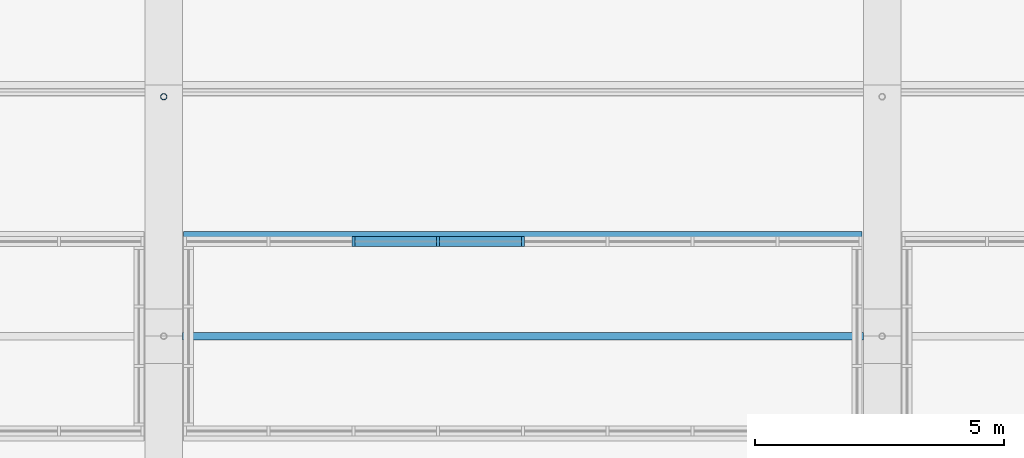
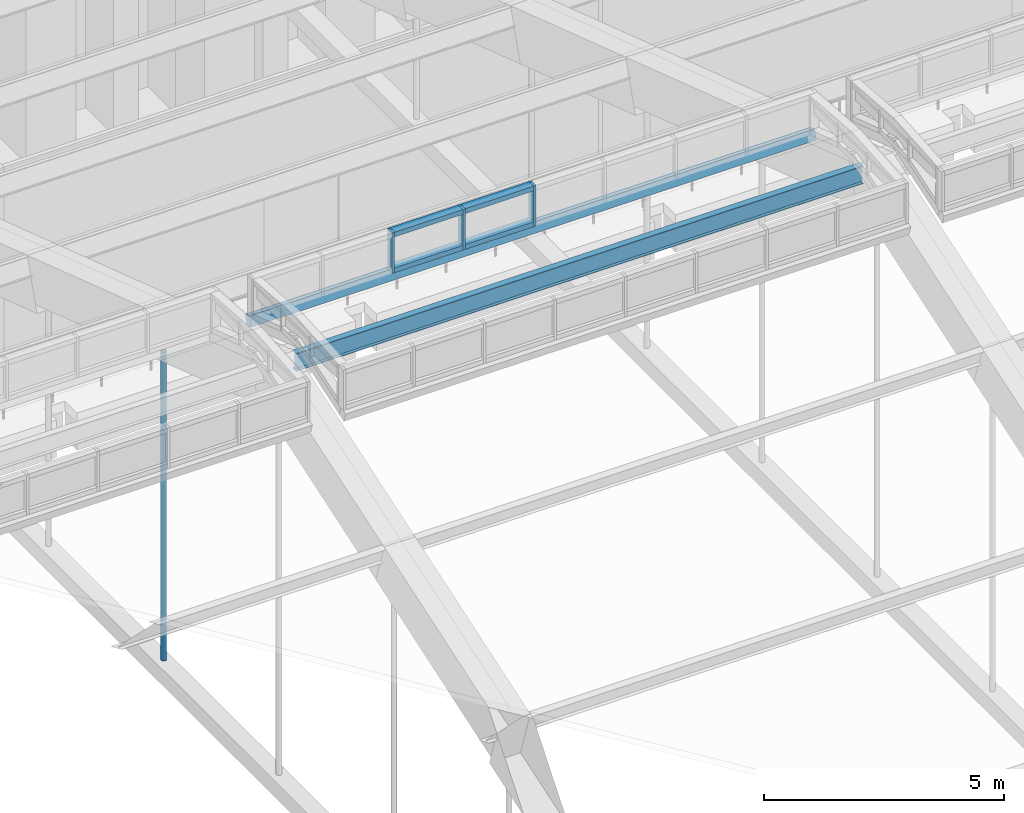
# One storey, part 55 of 149: 10 members, 1 element without a shape of its own.
"""IFC4 building model written with IfcOpenShell, lengths in metres."""

from ifc_helpers import new_model, si_unit, direction, frame, origin, origin_2d, place, context, subcontext, project, spatial, rectangle, hollow_circle, i_section, extrude, material, material_profile, profile_set, type_object, element, aggregate, save


model = new_model("IFC4")

# Units and contexts
model_context = context("Model", 3, precision=1e-05, world=origin(), true_north=direction((0.0, 1.0)))
body_context = subcontext(model_context, "Body", "Model", "MODEL_VIEW")
ifc_project = project(units=[si_unit("LENGTHUNIT", "METRE"), si_unit("AREAUNIT", "SQUARE_METRE"), si_unit("VOLUMEUNIT", "CUBIC_METRE"), si_unit("PLANEANGLEUNIT", "RADIAN"), si_unit("MASSUNIT", "GRAM", prefix="KILO")], contexts=[model_context])

# Site, building, storey
site_placement = place(None, origin())
site = spatial("IfcSite", under=ifc_project, at=site_placement, CompositionType="ELEMENT")
building_placement = place(site_placement, origin())
building = spatial("IfcBuilding", under=site, at=building_placement, Name="Alderwick Market Hall", CompositionType="ELEMENT")
storey_placement = place(building_placement, frame((0.0, 0.0, 9.60009765625)))
storey = spatial("IfcBuildingStorey", under=building, at=storey_placement, Name="L01", CompositionType="ELEMENT", Elevation=9.60009765625)

# Curtain wall, members
ifc_material_1 = material(Name="Aluminium", Category="aluminium")
curtain_wall_type = type_object("IfcCurtainWallType", Name="R Curtain Wall Frame", PredefinedType="NOTDEFINED", material=ifc_material_1)
curtain_wall_placement = place(storey_placement, origin())
curtain_wall = element("IfcCurtainWall", 1, at=curtain_wall_placement, inside=storey, type_object=curtain_wall_type, Name="Curtain wall LCW N4", PredefinedType="NOTDEFINED")
ifc_material_profile_1 = material_profile(ifc_material_1, rectangle(XDim=0.199951171875, YDim=0.06005859375, at=origin_2d()), Name="AL 60x200")
ifc_profile_set_1 = profile_set([ifc_material_profile_1], Name="Aluminium")
member_type_1 = type_object("IfcMemberType", Name="R CW Mullion 60x200", PredefinedType="MULLION", material=ifc_profile_set_1)
member_1_placement = place(storey_placement, frame((97.39990234375, 81.10009765625, 16.670166015625), z_axis=(0.0, 0.0, 1.0), x_axis=(0.0, 1.0, 0.0)))
member_1 = element("IfcMember", 2, at=member_1_placement, type_object=member_type_1, Name="LCW N4 mullion 3", PredefinedType="MULLION", context=body_context, shape_type="SweptSolid", body=[
    extrude(rectangle(XDim=0.199951171875, YDim=0.06005859375, at=origin_2d()), origin(), (0.0, 0.0, 1.0), 1.02978515625),
])
member_2_placement = place(storey_placement, frame((99.10009765625, 81.10009765625, 16.670166015625), z_axis=(0.0, 0.0, 1.0), x_axis=(0.0, 1.0, 0.0)))
member_2 = element("IfcMember", 3, at=member_2_placement, type_object=member_type_1, Name="LCW N4 mullion 4", PredefinedType="MULLION", context=body_context, shape_type="SweptSolid", body=[
    extrude(rectangle(XDim=0.199951171875, YDim=0.06005859375, at=origin_2d()), origin(), (0.0, 0.0, 1.0), 1.02978515625),
])
member_3_placement = place(storey_placement, frame((100.800048828125, 81.10009765625, 16.670166015625), z_axis=(0.0, 0.0, 1.0), x_axis=(0.0, 1.0, 0.0)))
member_3 = element("IfcMember", 4, at=member_3_placement, type_object=member_type_1, Name="LCW N4 mullion 5", PredefinedType="MULLION", context=body_context, shape_type="SweptSolid", body=[
    extrude(rectangle(XDim=0.199951171875, YDim=0.06005859375, at=origin_2d()), origin(), (0.0, 0.0, 1.0), 1.02978515625),
])
ifc_material_profile_2 = material_profile(ifc_material_1, rectangle(XDim=0.199951171875, YDim=0.1201171875, at=origin_2d()), Name="AL 120x200")
ifc_profile_set_2 = profile_set([ifc_material_profile_2], Name="Aluminium")
member_type_2 = type_object("IfcMemberType", Name="R CW Transom 120x200", PredefinedType="USERDEFINED", material=ifc_profile_set_2)
member_4_placement = place(storey_placement, frame((97.429931640625, 81.10009765625, 16.730224609375), z_axis=(1.0, 0.0, 0.0), x_axis=(0.0, 1.0, 0.0)))
member_4 = element("IfcMember", 5, at=member_4_placement, type_object=member_type_2, Name="LCW N4 sill transom 3", ObjectType="TRANSOM", PredefinedType="USERDEFINED", context=body_context, shape_type="SweptSolid", body=[
    extrude(rectangle(XDim=0.199951171875, YDim=0.1201171875, at=origin_2d()), origin(), (0.0, 0.0, 1.0), 1.64013671875),
])
member_5_placement = place(storey_placement, frame((97.429931640625, 81.10009765625, 17.639892578125), z_axis=(1.0, 0.0, 0.0), x_axis=(0.0, 1.0, 0.0)))
member_5 = element("IfcMember", 6, at=member_5_placement, type_object=member_type_2, Name="LCW N4 head transom 3", ObjectType="TRANSOM", PredefinedType="USERDEFINED", context=body_context, shape_type="SweptSolid", body=[
    extrude(rectangle(XDim=0.199951171875, YDim=0.1201171875, at=origin_2d()), origin(), (0.0, 0.0, 1.0), 1.64013671875),
])
member_6_placement = place(storey_placement, frame((99.1298828125, 81.10009765625, 16.730224609375), z_axis=(1.0, 0.0, 0.0), x_axis=(0.0, 1.0, 0.0)))
member_6 = element("IfcMember", 7, at=member_6_placement, type_object=member_type_2, Name="LCW N4 sill transom 4", ObjectType="TRANSOM", PredefinedType="USERDEFINED", context=body_context, shape_type="SweptSolid", body=[
    extrude(rectangle(XDim=0.199951171875, YDim=0.1201171875, at=origin_2d()), origin(), (0.0, 0.0, 1.0), 1.64013671875),
])
member_7_placement = place(storey_placement, frame((99.1298828125, 81.10009765625, 17.639892578125), z_axis=(1.0, 0.0, 0.0), x_axis=(0.0, 1.0, 0.0)))
member_7 = element("IfcMember", 8, at=member_7_placement, type_object=member_type_2, Name="LCW N4 head transom 4", ObjectType="TRANSOM", PredefinedType="USERDEFINED", context=body_context, shape_type="SweptSolid", body=[
    extrude(rectangle(XDim=0.199951171875, YDim=0.1201171875, at=origin_2d()), origin(), (0.0, 0.0, 1.0), 1.64013671875),
])

# Member
ifc_material_2 = material(Name="Steel ASTM A500 Grade C", Category="steel")
ifc_material_profile_3 = material_profile(ifc_material_2, hollow_circle(Radius=0.0634765625, WallThickness=0.005859375, at=origin_2d()), Name="HSS5.000x0.250")
ifc_profile_set_3 = profile_set([ifc_material_profile_3], Name="Steel ASTM A500 Grade C")
member_type_3 = type_object("IfcMemberType", Name="R Hanger HSS5.000x0.250", PredefinedType="POST", material=ifc_profile_set_3)
member_8_placement = place(storey_placement, frame((93.60009765625, 84.0, 6.35302734375), z_axis=(0.0, 0.0, 1.0), x_axis=(1.0, 0.0, 0.0)))
element("IfcMember", 9, at=member_8_placement, inside=storey, type_object=member_type_3, Name="Arch hanger 4.7", PredefinedType="POST", context=body_context, shape_type="SweptSolid", body=[
    extrude(hollow_circle(Radius=0.0634765625, WallThickness=0.005859375, at=origin_2d()), origin(), (0.0, 0.0, 1.0), 7.856689453125),
])

ifc_material_3 = material(Name="Steel ASTM A572 Grade 50", Category="steel")
ifc_material_profile_4 = material_profile(ifc_material_3, rectangle(XDim=0.199951171875, YDim=0.25, at=origin_2d()), Name="Steel plate curb 200x250")
ifc_profile_set_4 = profile_set([ifc_material_profile_4], Name="Steel ASTM A572 Grade 50")
member_type_4 = type_object("IfcMemberType", Name="R Lantern Curb 200x250", PredefinedType="MEMBER", material=ifc_profile_set_4)
member_9_placement = place(storey_placement, frame((94.0, 81.164794921875, 16.551513671875), z_axis=(1.0, 0.0, 0.0), x_axis=(0.0, 0.948683297073, -0.316227768949)))
member_9 = element("IfcMember", 10, at=member_9_placement, type_object=member_type_4, Name="Lantern curb N4", PredefinedType="MEMBER", context=body_context, shape_type="SweptSolid", body=[
    extrude(rectangle(XDim=0.199951171875, YDim=0.25, at=origin_2d()), origin(), (0.0, 0.0, 1.0), 13.60009765625),
])

aggregate(curtain_wall, [member_1, member_2, member_3, member_4, member_5, member_6, member_7, member_9])

ifc_material_4 = material(Name="Steel ASTM A992 Grade 50", Category="steel")
ifc_material_profile_5 = material_profile(ifc_material_4, i_section(OverallWidth=0.153076171875, OverallDepth=0.455078125, WebThickness=0.008056640625, FlangeThickness=0.01318359375, at=origin_2d()), Name="W18x40")
ifc_profile_set_5 = profile_set([ifc_material_profile_5], Name="Steel ASTM A992 Grade 50")
member_type_5 = type_object("IfcMemberType", Name="R Purlin W18x40", PredefinedType="PURLIN", material=ifc_profile_set_5)
member_10_placement = place(storey_placement, frame((93.97509765625, 79.199951171875, 16.7314453125), z_axis=(1.0, 0.0, 0.0), x_axis=(0.0, 1.0, 0.0)))
element("IfcMember", 11, at=member_10_placement, inside=storey, type_object=member_type_5, Name="Roof purlin 7.4", PredefinedType="PURLIN", context=body_context, shape_type="SweptSolid", body=[
    extrude(i_section(OverallWidth=0.153076171875, OverallDepth=0.455078125, WebThickness=0.008056640625, FlangeThickness=0.01318359375, at=origin_2d()), origin(), (0.0, 0.0, 1.0), 13.64990234375),
])

save(model, "model.ifc")
